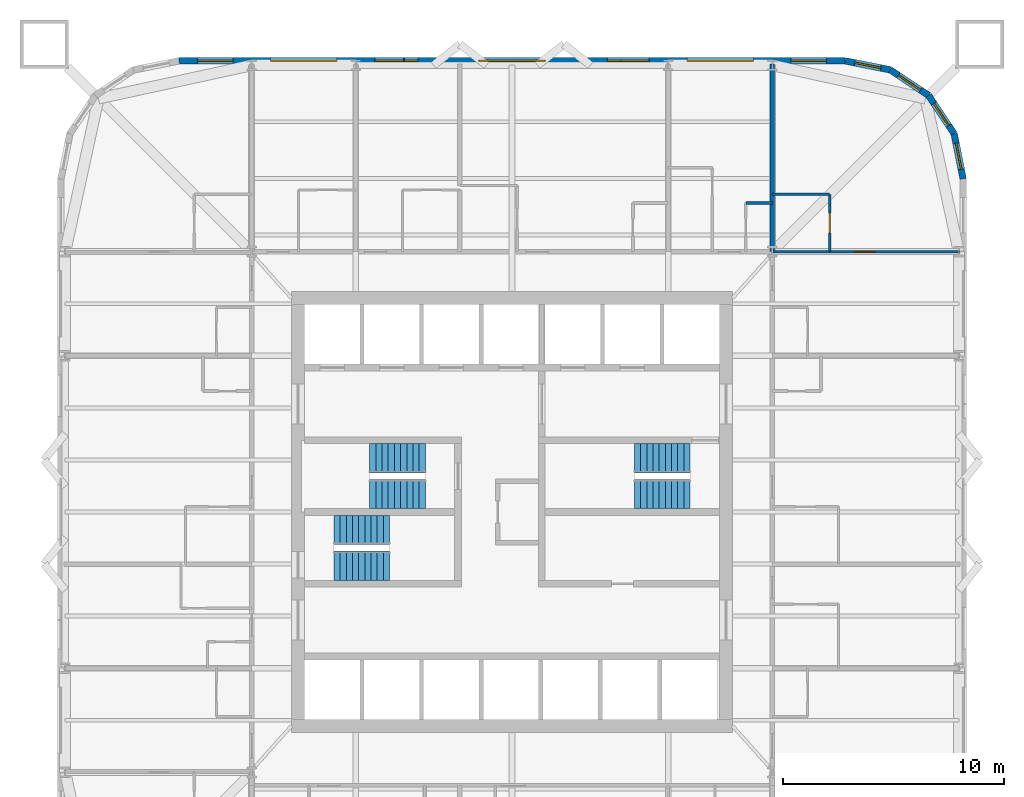
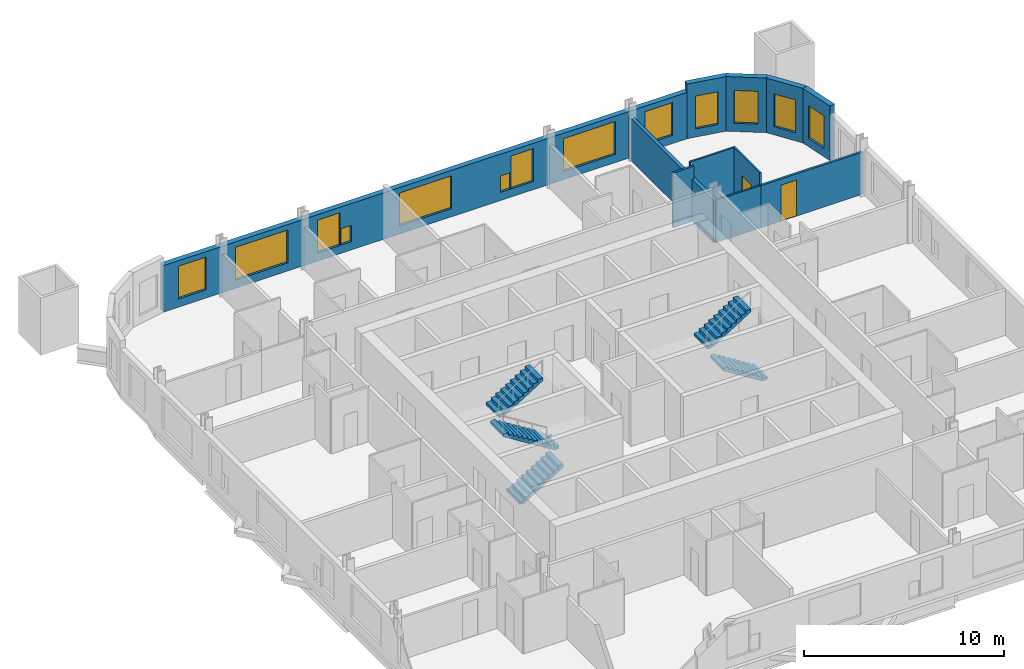
# One storey, part 8 of 9: 13 windows, 11 walls, 6 stair flights, 2 doors, 15 openings, 3 elements without a shape of their own.
"""IFC4 building model written with IfcOpenShell, lengths in metres."""

from ifc_helpers import new_model, si_unit, direction, frame, frame_2d, origin, place, context, subcontext, project, spatial, polyline, rectangle, outline, extrude, material, layer, layer_set, type_object, element, fill, aggregate, save


model = new_model("IFC4")

# Units and contexts
model_context = context("Model", 3, precision=1e-05, world=origin(), true_north=direction((0.0, 1.0)))
body_context = subcontext(model_context, "Body", "Model", "MODEL_VIEW")
ifc_project = project(units=[si_unit("LENGTHUNIT", "METRE"), si_unit("AREAUNIT", "SQUARE_METRE"), si_unit("VOLUMEUNIT", "CUBIC_METRE"), si_unit("PLANEANGLEUNIT", "RADIAN"), si_unit("MASSUNIT", "GRAM", prefix="KILO")], contexts=[model_context])

# Site, building, storey
site_placement = place(None, origin())
site = spatial("IfcSite", under=ifc_project, at=site_placement, CompositionType="ELEMENT")
building_placement = place(site_placement, origin())
building = spatial("IfcBuilding", under=site, at=building_placement, Name="Turquesa Mirador Hotel Tower", CompositionType="ELEMENT")
storey_placement = place(building_placement, frame((0.0, 0.0, 128.39990234375)))
storey = spatial("IfcBuildingStorey", under=building, at=storey_placement, Name="L34", CompositionType="ELEMENT", Elevation=128.39990234375)

# Walls
ifc_material_1 = material(Name="Gypsum board on steel studs", Category="steel")
ifc_layer_1 = layer(ifc_material_1, 0.10009765625)
ifc_layer_set_1 = layer_set([ifc_layer_1], Name="BATHROOM WALL 100")
wall_type_1 = type_object("IfcWallType", Name="BATHROOM WALL 100", PredefinedType="PARTITIONING", material=ifc_layer_set_1)
wall_1_placement = place(storey_placement, frame((66.800048828125, 56.800048828125, 0.0), z_axis=(0.0, 0.0, 1.0), x_axis=(1.0, 0.0, 0.0)))
element("IfcWall", 1, at=wall_1_placement, inside=storey, type_object=wall_type_1, Name="Partition L34 025", PredefinedType="PARTITIONING", context=body_context, shape_type="SweptSolid", body=[
    extrude(rectangle(XDim=2.599853515625, YDim=0.10009765625, at=frame_2d((1.2998046875, 0.0))), origin(), (0.0, 0.0, 1.0), 2.5732421875),
])
wall_2_placement = place(storey_placement, frame((66.800048828125, 59.39990234375, 0.0), z_axis=(0.0, 0.0, 1.0), x_axis=(1.0, 0.0, 0.0)))
element("IfcWall", 2, at=wall_2_placement, inside=storey, type_object=wall_type_1, Name="Partition L34 032", PredefinedType="PARTITIONING", context=body_context, shape_type="SweptSolid", body=[
    extrude(rectangle(XDim=2.599853515625, YDim=0.10009765625, at=frame_2d((1.2998046875, 0.0))), origin(), (0.0, 0.0, 1.0), 3.330078125),
])

# Wall, opening, door
wall_3_placement = place(storey_placement, frame((69.39990234375, 56.800048828125, 0.0), z_axis=(0.0, 0.0, 1.0), x_axis=(0.0, 1.0, 0.0)))
wall_3 = element("IfcWall", 3, at=wall_3_placement, inside=storey, type_object=wall_type_1, Name="Partition L34 072", PredefinedType="PARTITIONING", context=body_context, shape_type="SweptSolid", body=[
    extrude(rectangle(XDim=2.599853515625, YDim=0.10009765625, at=frame_2d((1.2998046875, 0.0))), origin(), (0.0, 0.0, 1.0), 3.330078125),
])
opening_1_placement = place(wall_3_placement, frame((0.85009765625, 0.0, 0.0)))
opening_1 = element("IfcOpeningElement", 4, at=opening_1_placement, cuts=wall_3, Name="Opening D02", PredefinedType="OPENING", context=body_context, shape_type="SweptSolid", body=[
    extrude(rectangle(XDim=0.89990234375, YDim=2.10009765625, at=frame_2d((0.449951171875, 1.050048828125))), frame((0.0, 0.06005859375, 0.0), z_axis=(0.0, -1.0, 0.0), x_axis=(1.0, 0.0, 0.0)), (0.0, 0.0, 1.0), 0.1201171875),
])
ifc_material_2 = material(Name="Timber veneered door", Category="wood")
door_type_1 = type_object("IfcDoorType", Name="DOOR 900X2100 EN-SUITE", OperationType="SINGLE_SWING_RIGHT", PredefinedType="DOOR", material=ifc_material_2)
door_1_placement = place(opening_1_placement, origin())
door_1 = element("IfcDoor", 5, at=door_1_placement, inside=storey, type_object=door_type_1, Name="Door 3411B", OperationType="SINGLE_SWING_RIGHT", OverallHeight=2.10009765625, OverallWidth=0.89990234375, PredefinedType="DOOR", context=body_context, shape_type="SweptSolid", body=[
    extrude(rectangle(XDim=0.89990234375, YDim=2.10009765625, at=frame_2d((0.449951171875, 1.050048828125))), frame((0.0, 0.02490234375, 0.0), z_axis=(0.0, -1.0, 0.0), x_axis=(1.0, 0.0, 0.0)), (0.0, 0.0, 1.0), 0.050048828125),
])
fill(opening_1, door_1)

# Wall, opening, window
ifc_material_3 = material(Name="Limestone cladding on concrete block", Category="masonry")
ifc_layer_2 = layer(ifc_material_3, 0.300048828125)
ifc_layer_set_2 = layer_set([ifc_layer_2], Name="FACADE WALL 300 STONE SCREEN")
wall_type_2 = type_object("IfcWallType", Name="FACADE WALL 300 STONE SCREEN", PredefinedType="SOLIDWALL", material=ifc_layer_set_2)
wall_4_placement = place(storey_placement, frame((75.449951171875, 60.10009765625, 0.0), z_axis=(0.0, 0.0, 1.0), x_axis=(-0.195081421501, 0.980787050784, 0.0)))
wall_4 = element("IfcWall", 6, at=wall_4_placement, inside=storey, type_object=wall_type_2, Name="Facade wall L34 05", PredefinedType="SOLIDWALL", context=body_context, shape_type="SweptSolid", body=[
    extrude(rectangle(XDim=2.08740234375, YDim=0.300048828125, at=frame_2d((1.043701171875, 0.0))), origin(), (0.0, 0.0, 1.0), 3.330078125),
])
opening_2_placement = place(wall_4_placement, frame((0.443603515625, 0.0, 0.5)))
opening_2 = element("IfcOpeningElement", 7, at=opening_2_placement, cuts=wall_4, Name="Opening WN4", PredefinedType="OPENING", context=body_context, shape_type="SweptSolid", body=[
    extrude(rectangle(XDim=1.199951171875, YDim=2.0, at=frame_2d((0.60009765625, 1.0))), frame((0.0, 0.159912109375, 0.0), z_axis=(0.0, -1.0, 0.0), x_axis=(1.0, 0.0, 0.0)), (0.0, 0.0, 1.0), 0.320068359375),
])
ifc_material_4 = material(Name="Ceramic-fritted laminated glass", Category="glass")
window_type_1 = type_object("IfcWindowType", Name="FRITTED CORNER WINDOW 1200X2000", PartitioningType="DOUBLE_PANEL_HORIZONTAL", PredefinedType="WINDOW", material=ifc_material_4)
window_1_placement = place(opening_2_placement, origin())
window_1 = element("IfcWindow", 8, at=window_1_placement, inside=storey, type_object=window_type_1, Name="Window L34", OverallHeight=2.0, OverallWidth=1.199951171875, PartitioningType="SINGLE_PANEL", PredefinedType="WINDOW", context=body_context, shape_type="SweptSolid", body=[
    extrude(rectangle(XDim=1.199951171875, YDim=2.0, at=frame_2d((0.60009765625, 1.0))), frame((0.0, 0.030029296875, 0.0), z_axis=(0.0, -1.0, 0.0), x_axis=(1.0, 0.0, 0.0)), (0.0, 0.0, 1.0), 0.06005859375),
])
fill(opening_2, window_1)

wall_5_placement = place(storey_placement, frame((75.042724609375, 62.1474609375, 0.0), z_axis=(0.0, 0.0, 1.0), x_axis=(-0.555563607591, 0.831474039234, 0.0)))
wall_5 = element("IfcWall", 9, at=wall_5_placement, inside=storey, type_object=wall_type_2, Name="Facade wall L34 06", PredefinedType="SOLIDWALL", context=body_context, shape_type="SweptSolid", body=[
    extrude(rectangle(XDim=2.08740234375, YDim=0.300048828125, at=frame_2d((1.043701171875, 0.0))), origin(), (0.0, 0.0, 1.0), 3.330078125),
])
opening_3_placement = place(wall_5_placement, frame((0.443603515625, 0.0, 0.5)))
opening_3 = element("IfcOpeningElement", 10, at=opening_3_placement, cuts=wall_5, Name="Opening WN4", PredefinedType="OPENING", context=body_context, shape_type="SweptSolid", body=[
    extrude(rectangle(XDim=1.199951171875, YDim=2.0, at=frame_2d((0.60009765625, 1.0))), frame((0.0, 0.159912109375, 0.0), z_axis=(0.0, -1.0, 0.0), x_axis=(1.0, 0.0, 0.0)), (0.0, 0.0, 1.0), 0.320068359375),
])
window_2_placement = place(opening_3_placement, origin())
window_2 = element("IfcWindow", 11, at=window_2_placement, inside=storey, type_object=window_type_1, Name="Window L34", OverallHeight=2.0, OverallWidth=1.199951171875, PartitioningType="SINGLE_PANEL", PredefinedType="WINDOW", context=body_context, shape_type="SweptSolid", body=[
    extrude(rectangle(XDim=1.199951171875, YDim=2.0, at=frame_2d((0.60009765625, 1.0))), frame((0.0, 0.030029296875, 0.0), z_axis=(0.0, -1.0, 0.0), x_axis=(1.0, 0.0, 0.0)), (0.0, 0.0, 1.0), 0.06005859375),
])
fill(opening_3, window_2)

wall_6_placement = place(storey_placement, frame((73.883056640625, 63.883056640625, 0.0), z_axis=(0.0, 0.0, 1.0), x_axis=(-0.831474039234, 0.555563607591, 0.0)))
wall_6 = element("IfcWall", 12, at=wall_6_placement, inside=storey, type_object=wall_type_2, Name="Facade wall L34 07", PredefinedType="SOLIDWALL", context=body_context, shape_type="SweptSolid", body=[
    extrude(rectangle(XDim=2.08740234375, YDim=0.300048828125, at=frame_2d((1.043701171875, 0.0))), origin(), (0.0, 0.0, 1.0), 3.330078125),
])
opening_4_placement = place(wall_6_placement, frame((0.443603515625, 0.0, 0.5)))
opening_4 = element("IfcOpeningElement", 13, at=opening_4_placement, cuts=wall_6, Name="Opening WN4", PredefinedType="OPENING", context=body_context, shape_type="SweptSolid", body=[
    extrude(rectangle(XDim=1.199951171875, YDim=2.0, at=frame_2d((0.60009765625, 1.0))), frame((0.0, 0.159912109375, 0.0), z_axis=(0.0, -1.0, 0.0), x_axis=(1.0, 0.0, 0.0)), (0.0, 0.0, 1.0), 0.320068359375),
])
window_3_placement = place(opening_4_placement, origin())
window_3 = element("IfcWindow", 14, at=window_3_placement, inside=storey, type_object=window_type_1, Name="Window L34", OverallHeight=2.0, OverallWidth=1.199951171875, PartitioningType="SINGLE_PANEL", PredefinedType="WINDOW", context=body_context, shape_type="SweptSolid", body=[
    extrude(rectangle(XDim=1.199951171875, YDim=2.0, at=frame_2d((0.60009765625, 1.0))), frame((0.0, 0.030029296875, 0.0), z_axis=(0.0, -1.0, 0.0), x_axis=(1.0, 0.0, 0.0)), (0.0, 0.0, 1.0), 0.06005859375),
])
fill(opening_4, window_3)

wall_7_placement = place(storey_placement, frame((72.1474609375, 65.042724609375, 0.0), z_axis=(0.0, 0.0, 1.0), x_axis=(-0.980787050784, 0.195081421501, 0.0)))
wall_7 = element("IfcWall", 15, at=wall_7_placement, inside=storey, type_object=wall_type_2, Name="Facade wall L34 08", PredefinedType="SOLIDWALL", context=body_context, shape_type="SweptSolid", body=[
    extrude(rectangle(XDim=2.08740234375, YDim=0.300048828125, at=frame_2d((1.043701171875, 0.0))), origin(), (0.0, 0.0, 1.0), 3.330078125),
])
opening_5_placement = place(wall_7_placement, frame((0.443603515625, 0.0, 0.5)))
opening_5 = element("IfcOpeningElement", 16, at=opening_5_placement, cuts=wall_7, Name="Opening WN4", PredefinedType="OPENING", context=body_context, shape_type="SweptSolid", body=[
    extrude(rectangle(XDim=1.199951171875, YDim=2.0, at=frame_2d((0.60009765625, 1.0))), frame((0.0, 0.159912109375, 0.0), z_axis=(0.0, -1.0, 0.0), x_axis=(1.0, 0.0, 0.0)), (0.0, 0.0, 1.0), 0.320068359375),
])
window_4_placement = place(opening_5_placement, origin())
window_4 = element("IfcWindow", 17, at=window_4_placement, inside=storey, type_object=window_type_1, Name="Window L34", OverallHeight=2.0, OverallWidth=1.199951171875, PartitioningType="SINGLE_PANEL", PredefinedType="WINDOW", context=body_context, shape_type="SweptSolid", body=[
    extrude(rectangle(XDim=1.199951171875, YDim=2.0, at=frame_2d((0.60009765625, 1.0))), frame((0.0, 0.030029296875, 0.0), z_axis=(0.0, -1.0, 0.0), x_axis=(1.0, 0.0, 0.0)), (0.0, 0.0, 1.0), 0.06005859375),
])
fill(opening_5, window_4)

# Wall, openings, windows
wall_8_placement = place(storey_placement, frame((70.10009765625, 65.449951171875, 0.0), z_axis=(0.0, 0.0, 1.0), x_axis=(-1.0, 0.0, 0.0)))
wall_8 = element("IfcWall", 18, at=wall_8_placement, inside=storey, type_object=wall_type_2, Name="Facade wall L34 09", PredefinedType="SOLIDWALL", context=body_context, shape_type="SweptSolid", body=[
    extrude(rectangle(XDim=30.2001953125, YDim=0.300048828125, at=frame_2d((15.10009765625, 0.0))), origin(), (0.0, 0.0, 1.0), 2.830078125),
])
opening_6_placement = place(wall_8_placement, frame((0.85009765625, 0.0, 0.5)))
opening_6 = element("IfcOpeningElement", 19, at=opening_6_placement, cuts=wall_8, Name="Opening WN3", PredefinedType="OPENING", context=body_context, shape_type="SweptSolid", body=[
    extrude(rectangle(XDim=1.60009765625, YDim=2.0, at=frame_2d((0.800048828125, 1.0))), frame((0.0, 0.159912109375, 0.0), z_axis=(0.0, -1.0, 0.0), x_axis=(1.0, 0.0, 0.0)), (0.0, 0.0, 1.0), 0.320068359375),
])
opening_7_placement = place(wall_8_placement, frame((4.159912109375, 0.0, 0.5)))
opening_7 = element("IfcOpeningElement", 20, at=opening_7_placement, cuts=wall_8, Name="Opening WN1", PredefinedType="OPENING", context=body_context, shape_type="SweptSolid", body=[
    extrude(rectangle(XDim=3.0, YDim=2.0, at=frame_2d((1.5, 1.0))), frame((0.0, 0.159912109375, 0.0), z_axis=(0.0, -1.0, 0.0), x_axis=(1.0, 0.0, 0.0)), (0.0, 0.0, 1.0), 0.320068359375),
])
opening_8_placement = place(wall_8_placement, frame((8.8798828125, 0.0, 0.5)))
opening_8 = element("IfcOpeningElement", 21, at=opening_8_placement, cuts=wall_8, Name="Opening WN42", PredefinedType="OPENING", context=body_context, shape_type="SweptSolid", body=[
    extrude(rectangle(XDim=1.300048828125, YDim=2.0, at=frame_2d((0.64990234375, 1.0))), frame((0.0, 0.159912109375, 0.0), z_axis=(0.0, -1.0, 0.0), x_axis=(1.0, 0.0, 0.0)), (0.0, 0.0, 1.0), 0.320068359375),
])
opening_9_placement = place(wall_8_placement, frame((13.60009765625, 0.0, 0.5)))
opening_9 = element("IfcOpeningElement", 22, at=opening_9_placement, cuts=wall_8, Name="Opening WN1", PredefinedType="OPENING", context=body_context, shape_type="SweptSolid", body=[
    extrude(rectangle(XDim=3.0, YDim=2.0, at=frame_2d((1.5, 1.0))), frame((0.0, 0.159912109375, 0.0), z_axis=(0.0, -1.0, 0.0), x_axis=(1.0, 0.0, 0.0)), (0.0, 0.0, 1.0), 0.320068359375),
])
opening_10_placement = place(wall_8_placement, frame((20.02001953125, 0.0, 0.5)))
opening_10 = element("IfcOpeningElement", 23, at=opening_10_placement, cuts=wall_8, Name="Opening WN42", PredefinedType="OPENING", context=body_context, shape_type="SweptSolid", body=[
    extrude(rectangle(XDim=1.300048828125, YDim=2.0, at=frame_2d((0.64990234375, 1.0))), frame((0.0, 0.159912109375, 0.0), z_axis=(0.0, -1.0, 0.0), x_axis=(1.0, 0.0, 0.0)), (0.0, 0.0, 1.0), 0.320068359375),
])
opening_11_placement = place(wall_8_placement, frame((23.0400390625, 0.0, 0.5)))
opening_11 = element("IfcOpeningElement", 24, at=opening_11_placement, cuts=wall_8, Name="Opening WN1", PredefinedType="OPENING", context=body_context, shape_type="SweptSolid", body=[
    extrude(rectangle(XDim=3.0, YDim=2.0, at=frame_2d((1.5, 1.0))), frame((0.0, 0.159912109375, 0.0), z_axis=(0.0, -1.0, 0.0), x_axis=(1.0, 0.0, 0.0)), (0.0, 0.0, 1.0), 0.320068359375),
])
opening_12_placement = place(wall_8_placement, frame((27.75, 0.0, 0.5)))
opening_12 = element("IfcOpeningElement", 25, at=opening_12_placement, cuts=wall_8, Name="Opening WN3", PredefinedType="OPENING", context=body_context, shape_type="SweptSolid", body=[
    extrude(rectangle(XDim=1.60009765625, YDim=2.0, at=frame_2d((0.800048828125, 1.0))), frame((0.0, 0.159912109375, 0.0), z_axis=(0.0, -1.0, 0.0), x_axis=(1.0, 0.0, 0.0)), (0.0, 0.0, 1.0), 0.320068359375),
])
opening_13_placement = place(wall_8_placement, frame((10.179931640625, 0.0, 0.5)))
opening_13 = element("IfcOpeningElement", 26, at=opening_13_placement, cuts=wall_8, Name="Opening WN29", PredefinedType="OPENING", context=body_context, shape_type="SweptSolid", body=[
    extrude(rectangle(XDim=0.60009765625, YDim=1.0, at=frame_2d((0.300048828125, 0.5))), frame((0.0, 0.159912109375, 0.0), z_axis=(0.0, -1.0, 0.0), x_axis=(1.0, 0.0, 0.0)), (0.0, 0.0, 1.0), 0.320068359375),
])
opening_14_placement = place(wall_8_placement, frame((19.3701171875, 0.0, 0.5)))
opening_14 = element("IfcOpeningElement", 27, at=opening_14_placement, cuts=wall_8, Name="Opening WN29", PredefinedType="OPENING", context=body_context, shape_type="SweptSolid", body=[
    extrude(rectangle(XDim=0.60009765625, YDim=1.0, at=frame_2d((0.300048828125, 0.5))), frame((0.0, 0.159912109375, 0.0), z_axis=(0.0, -1.0, 0.0), x_axis=(1.0, 0.0, 0.0)), (0.0, 0.0, 1.0), 0.320068359375),
])
ifc_material_5 = material(Name="Ceramic-fritted laminated glass", Category="glass")
window_type_2 = type_object("IfcWindowType", Name="FRITTED WINDOW 1300X2000", PartitioningType="DOUBLE_PANEL_HORIZONTAL", PredefinedType="WINDOW", material=ifc_material_5)
window_5_placement = place(opening_8_placement, origin())
window_5 = element("IfcWindow", 28, at=window_5_placement, inside=storey, type_object=window_type_2, Name="Window L34", OverallHeight=2.0, OverallWidth=1.300048828125, PartitioningType="SINGLE_PANEL", PredefinedType="WINDOW", context=body_context, shape_type="SweptSolid", body=[
    extrude(rectangle(XDim=1.300048828125, YDim=2.0, at=frame_2d((0.64990234375, 1.0))), frame((0.0, 0.030029296875, 0.0), z_axis=(0.0, -1.0, 0.0), x_axis=(1.0, 0.0, 0.0)), (0.0, 0.0, 1.0), 0.06005859375),
])
fill(opening_8, window_5)
window_6_placement = place(opening_10_placement, origin())
window_6 = element("IfcWindow", 29, at=window_6_placement, inside=storey, type_object=window_type_2, Name="Window L34", OverallHeight=2.0, OverallWidth=1.300048828125, PartitioningType="SINGLE_PANEL", PredefinedType="WINDOW", context=body_context, shape_type="SweptSolid", body=[
    extrude(rectangle(XDim=1.300048828125, YDim=2.0, at=frame_2d((0.64990234375, 1.0))), frame((0.0, 0.030029296875, 0.0), z_axis=(0.0, -1.0, 0.0), x_axis=(1.0, 0.0, 0.0)), (0.0, 0.0, 1.0), 0.06005859375),
])
fill(opening_10, window_6)
ifc_material_6 = material(Name="Ceramic-fritted laminated glass", Category="glass")
window_type_3 = type_object("IfcWindowType", Name="FRITTED WINDOW 1600X2000", PartitioningType="DOUBLE_PANEL_HORIZONTAL", PredefinedType="WINDOW", material=ifc_material_6)
window_7_placement = place(opening_6_placement, origin())
window_7 = element("IfcWindow", 30, at=window_7_placement, inside=storey, type_object=window_type_3, Name="Window L34", OverallHeight=2.0, OverallWidth=1.60009765625, PartitioningType="SINGLE_PANEL", PredefinedType="WINDOW", context=body_context, shape_type="SweptSolid", body=[
    extrude(rectangle(XDim=1.60009765625, YDim=2.0, at=frame_2d((0.800048828125, 1.0))), frame((0.0, 0.030029296875, 0.0), z_axis=(0.0, -1.0, 0.0), x_axis=(1.0, 0.0, 0.0)), (0.0, 0.0, 1.0), 0.06005859375),
])
fill(opening_6, window_7)
window_8_placement = place(opening_12_placement, origin())
window_8 = element("IfcWindow", 31, at=window_8_placement, inside=storey, type_object=window_type_3, Name="Window L34", OverallHeight=2.0, OverallWidth=1.60009765625, PartitioningType="SINGLE_PANEL", PredefinedType="WINDOW", context=body_context, shape_type="SweptSolid", body=[
    extrude(rectangle(XDim=1.60009765625, YDim=2.0, at=frame_2d((0.800048828125, 1.0))), frame((0.0, 0.030029296875, 0.0), z_axis=(0.0, -1.0, 0.0), x_axis=(1.0, 0.0, 0.0)), (0.0, 0.0, 1.0), 0.06005859375),
])
fill(opening_12, window_8)
ifc_material_7 = material(Name="Ceramic-fritted laminated glass", Category="glass")
window_type_4 = type_object("IfcWindowType", Name="FRITTED WINDOW 3000X2000", PartitioningType="DOUBLE_PANEL_HORIZONTAL", PredefinedType="WINDOW", material=ifc_material_7)
window_9_placement = place(opening_7_placement, origin())
window_9 = element("IfcWindow", 32, at=window_9_placement, inside=storey, type_object=window_type_4, Name="Window L34", OverallHeight=2.0, OverallWidth=3.0, PartitioningType="SINGLE_PANEL", PredefinedType="WINDOW", context=body_context, shape_type="SweptSolid", body=[
    extrude(rectangle(XDim=3.0, YDim=2.0, at=frame_2d((1.5, 1.0))), frame((0.0, 0.030029296875, 0.0), z_axis=(0.0, -1.0, 0.0), x_axis=(1.0, 0.0, 0.0)), (0.0, 0.0, 1.0), 0.06005859375),
])
fill(opening_7, window_9)
window_10_placement = place(opening_9_placement, origin())
window_10 = element("IfcWindow", 33, at=window_10_placement, inside=storey, type_object=window_type_4, Name="Window L34", OverallHeight=2.0, OverallWidth=3.0, PartitioningType="SINGLE_PANEL", PredefinedType="WINDOW", context=body_context, shape_type="SweptSolid", body=[
    extrude(rectangle(XDim=3.0, YDim=2.0, at=frame_2d((1.5, 1.0))), frame((0.0, 0.030029296875, 0.0), z_axis=(0.0, -1.0, 0.0), x_axis=(1.0, 0.0, 0.0)), (0.0, 0.0, 1.0), 0.06005859375),
])
fill(opening_9, window_10)
window_11_placement = place(opening_11_placement, origin())
window_11 = element("IfcWindow", 34, at=window_11_placement, inside=storey, type_object=window_type_4, Name="Window L34", OverallHeight=2.0, OverallWidth=3.0, PartitioningType="SINGLE_PANEL", PredefinedType="WINDOW", context=body_context, shape_type="SweptSolid", body=[
    extrude(rectangle(XDim=3.0, YDim=2.0, at=frame_2d((1.5, 1.0))), frame((0.0, 0.030029296875, 0.0), z_axis=(0.0, -1.0, 0.0), x_axis=(1.0, 0.0, 0.0)), (0.0, 0.0, 1.0), 0.06005859375),
])
fill(opening_11, window_11)
ifc_material_8 = material(Name="Ceramic-fritted laminated glass", Category="glass")
window_type_5 = type_object("IfcWindowType", Name="FRITTED WINDOW 600X1000", PartitioningType="DOUBLE_PANEL_HORIZONTAL", PredefinedType="WINDOW", material=ifc_material_8)
window_12_placement = place(opening_13_placement, origin())
window_12 = element("IfcWindow", 35, at=window_12_placement, inside=storey, type_object=window_type_5, Name="Window L34", OverallHeight=1.0, OverallWidth=0.60009765625, PartitioningType="SINGLE_PANEL", PredefinedType="WINDOW", context=body_context, shape_type="SweptSolid", body=[
    extrude(rectangle(XDim=0.60009765625, YDim=1.0, at=frame_2d((0.300048828125, 0.5))), frame((0.0, 0.030029296875, 0.0), z_axis=(0.0, -1.0, 0.0), x_axis=(1.0, 0.0, 0.0)), (0.0, 0.0, 1.0), 0.06005859375),
])
fill(opening_13, window_12)
window_13_placement = place(opening_14_placement, origin())
window_13 = element("IfcWindow", 36, at=window_13_placement, inside=storey, type_object=window_type_5, Name="Window L34", OverallHeight=1.0, OverallWidth=0.60009765625, PartitioningType="SINGLE_PANEL", PredefinedType="WINDOW", context=body_context, shape_type="SweptSolid", body=[
    extrude(rectangle(XDim=0.60009765625, YDim=1.0, at=frame_2d((0.300048828125, 0.5))), frame((0.0, 0.030029296875, 0.0), z_axis=(0.0, -1.0, 0.0), x_axis=(1.0, 0.0, 0.0)), (0.0, 0.0, 1.0), 0.06005859375),
])
fill(opening_14, window_13)

# Wall
ifc_material_9 = material(Name="Fire-rated gypsum board on steel studs", Category="steel")
ifc_layer_3 = layer(ifc_material_9, 0.199951171875)
ifc_layer_set_3 = layer_set([ifc_layer_3], Name="PARTY WALL 200")
wall_type_3 = type_object("IfcWallType", Name="PARTY WALL 200", PredefinedType="PARTITIONING", material=ifc_layer_set_3)
wall_9_placement = place(storey_placement, frame((66.800048828125, 56.800048828125, 0.0), z_axis=(0.0, 0.0, 1.0), x_axis=(0.0, 1.0, 0.0)))
element("IfcWall", 37, at=wall_9_placement, inside=storey, type_object=wall_type_3, Name="Partition L34 067", PredefinedType="PARTITIONING", context=body_context, shape_type="SweptSolid", body=[
    extrude(rectangle(XDim=8.5, YDim=0.199951171875, at=frame_2d((4.25, 0.0))), origin(), (0.0, 0.0, 1.0), 2.5732421875),
])

# Wall, opening, door
ifc_material_10 = material(Name="Acoustic gypsum board on steel studs", Category="steel")
ifc_layer_4 = layer(ifc_material_10, 0.125)
ifc_layer_set_4 = layer_set([ifc_layer_4], Name="SUITE PARTITION 125")
wall_type_4 = type_object("IfcWallType", Name="SUITE PARTITION 125", PredefinedType="PARTITIONING", material=ifc_layer_set_4)
wall_10_placement = place(storey_placement, frame((69.39990234375, 56.800048828125, 0.0), z_axis=(0.0, 0.0, 1.0), x_axis=(1.0, 0.0, 0.0)))
wall_10 = element("IfcWall", 38, at=wall_10_placement, inside=storey, type_object=wall_type_4, Name="Partition L34 028", PredefinedType="PARTITIONING", context=body_context, shape_type="SweptSolid", body=[
    extrude(rectangle(XDim=5.900146484375, YDim=0.125, at=frame_2d((2.9501953125, 0.0))), origin(), (0.0, 0.0, 1.0), 2.5732421875),
])
opening_15_placement = place(wall_10_placement, frame((1.14990234375, 0.0, 0.0)))
opening_15 = element("IfcOpeningElement", 39, at=opening_15_placement, cuts=wall_10, Name="Opening D17", PredefinedType="OPENING", context=body_context, shape_type="SweptSolid", body=[
    extrude(rectangle(XDim=0.89990234375, YDim=2.199951171875, at=frame_2d((0.449951171875, 1.10009765625))), frame((0.0, 0.072509765625, 0.0), z_axis=(0.0, -1.0, 0.0), x_axis=(1.0, 0.0, 0.0)), (0.0, 0.0, 1.0), 0.14501953125),
])
ifc_material_11 = material(Name="Timber veneered door", Category="wood")
door_type_2 = type_object("IfcDoorType", Name="DOOR 900X2200 SUITE INTERNAL", OperationType="SINGLE_SWING_LEFT", PredefinedType="DOOR", material=ifc_material_11)
door_2_placement = place(opening_15_placement, origin())
door_2 = element("IfcDoor", 40, at=door_2_placement, inside=storey, type_object=door_type_2, Name="Door 3411R", OperationType="SINGLE_SWING_LEFT", OverallHeight=2.199951171875, OverallWidth=0.89990234375, PredefinedType="DOOR", context=body_context, shape_type="SweptSolid", body=[
    extrude(rectangle(XDim=0.89990234375, YDim=2.199951171875, at=frame_2d((0.449951171875, 1.10009765625))), frame((0.0, 0.02490234375, 0.0), z_axis=(0.0, -1.0, 0.0), x_axis=(1.0, 0.0, 0.0)), (0.0, 0.0, 1.0), 0.050048828125),
])
fill(opening_15, door_2)

# Wall
wall_11_placement = place(storey_placement, frame((65.60009765625, 59.0, 0.0), z_axis=(0.0, 0.0, 1.0), x_axis=(1.0, 0.0, 0.0)))
element("IfcWall", 41, at=wall_11_placement, inside=storey, type_object=wall_type_4, Name="Partition L34 030", PredefinedType="PARTITIONING", context=body_context, shape_type="SweptSolid", body=[
    extrude(rectangle(XDim=1.199951171875, YDim=0.125, at=frame_2d((0.60009765625, 0.0))), origin(), (0.0, 0.0, 1.0), 3.330078125),
])

# Stair, stair flights
ifc_material_12 = material(Name="Concrete C35/45", Category="concrete")
stair_type = type_object("IfcStairType", Name="ESCAPE STAIR CORE", PredefinedType="HALF_TURN_STAIR", material=ifc_material_12)
stair_1_placement = place(storey_placement, origin())
stair_1 = element("IfcStair", 42, at=stair_1_placement, inside=storey, type_object=stair_type, Name="Stair ST1 L34 to L35", PredefinedType="HALF_TURN_STAIR")
ifc_material_13 = material(Name="Concrete C35/45 precast flight", Category="concrete")
stair_flight_type = type_object("IfcStairFlightType", Name="STAIR FLIGHT 1330", PredefinedType="STRAIGHT", material=ifc_material_13)
stair_flight_1_placement = place(storey_placement, frame((51.070068359375, 45.81494140625, 0.0), z_axis=(0.0, 0.0, 1.0), x_axis=(-1.0, 0.0, 0.0)))
stair_flight_1 = element("IfcStairFlight", 43, at=stair_flight_1_placement, type_object=stair_flight_type, Name="ST1 flight 1", NumberOfRisers=10, NumberOfTreads=9, PredefinedType="STRAIGHT", RiserHeight=0.175, TreadLength=0.28, context=body_context, shape_type="SweptSolid", body=[
    extrude(outline(polyline([(0.0, 0.0), (0.0, 0.175048828125), (0.280029296875, 0.175048828125), (0.280029296875, 0.35009765625), (0.56005859375, 0.35009765625), (0.56005859375, 0.52490234375), (0.840087890625, 0.52490234375), (0.840087890625, 0.699951171875), (1.1201171875, 0.699951171875), (1.1201171875, 0.875), (1.39990234375, 0.875), (1.39990234375, 1.050048828125), (1.679931640625, 1.050048828125), (1.679931640625, 1.22509765625), (1.9599609375, 1.22509765625), (1.9599609375, 1.39990234375), (2.239990234375, 1.39990234375), (2.239990234375, 1.574951171875), (2.52001953125, 1.574951171875), (2.52001953125, 1.75), (2.52001953125, 1.398193359375), (0.28271484375, 0.0), (0.0, 0.0)])), frame((0.0, 0.6650390625, 0.0), z_axis=(0.0, -1.0, 0.0), x_axis=(1.0, 0.0, 0.0)), (0.0, 0.0, 1.0), 1.330078125),
])
stair_flight_2_placement = place(storey_placement, frame((48.550048828125, 47.43505859375, 1.75), z_axis=(0.0, 0.0, 1.0), x_axis=(1.0, 0.0, 0.0)))
stair_flight_2 = element("IfcStairFlight", 44, at=stair_flight_2_placement, type_object=stair_flight_type, Name="ST1 flight 2", NumberOfRisers=10, NumberOfTreads=9, PredefinedType="STRAIGHT", RiserHeight=0.175, TreadLength=0.28, context=body_context, shape_type="SweptSolid", body=[
    extrude(outline(polyline([(0.0, 0.0), (0.0, 0.175048828125), (0.280029296875, 0.175048828125), (0.280029296875, 0.35009765625), (0.56005859375, 0.35009765625), (0.56005859375, 0.52490234375), (0.840087890625, 0.52490234375), (0.840087890625, 0.699951171875), (1.1201171875, 0.699951171875), (1.1201171875, 0.875), (1.39990234375, 0.875), (1.39990234375, 1.050048828125), (1.679931640625, 1.050048828125), (1.679931640625, 1.22509765625), (1.9599609375, 1.22509765625), (1.9599609375, 1.39990234375), (2.239990234375, 1.39990234375), (2.239990234375, 1.574951171875), (2.52001953125, 1.574951171875), (2.52001953125, 1.75), (2.52001953125, 1.398193359375), (0.28271484375, 0.0), (0.0, 0.0)])), frame((0.0, 0.6650390625, 0.0), z_axis=(0.0, -1.0, 0.0), x_axis=(1.0, 0.0, 0.0)), (0.0, 0.0, 1.0), 1.330078125),
])
aggregate(stair_1, [stair_flight_1, stair_flight_2])

stair_2_placement = place(storey_placement, origin())
stair_2 = element("IfcStair", 45, at=stair_2_placement, inside=storey, type_object=stair_type, Name="Stair ST2 L34 to L35", PredefinedType="HALF_TURN_STAIR")
stair_flight_3_placement = place(storey_placement, frame((46.929931640625, 42.56494140625, 0.0), z_axis=(0.0, 0.0, 1.0), x_axis=(1.0, 0.0, 0.0)))
stair_flight_3 = element("IfcStairFlight", 46, at=stair_flight_3_placement, type_object=stair_flight_type, Name="ST2 flight 1", NumberOfRisers=10, NumberOfTreads=9, PredefinedType="STRAIGHT", RiserHeight=0.175, TreadLength=0.28, context=body_context, shape_type="SweptSolid", body=[
    extrude(outline(polyline([(0.0, 0.0), (0.0, 0.175048828125), (0.280029296875, 0.175048828125), (0.280029296875, 0.35009765625), (0.56005859375, 0.35009765625), (0.56005859375, 0.52490234375), (0.840087890625, 0.52490234375), (0.840087890625, 0.699951171875), (1.1201171875, 0.699951171875), (1.1201171875, 0.875), (1.39990234375, 0.875), (1.39990234375, 1.050048828125), (1.679931640625, 1.050048828125), (1.679931640625, 1.22509765625), (1.9599609375, 1.22509765625), (1.9599609375, 1.39990234375), (2.239990234375, 1.39990234375), (2.239990234375, 1.574951171875), (2.52001953125, 1.574951171875), (2.52001953125, 1.75), (2.52001953125, 1.398193359375), (0.28271484375, 0.0), (0.0, 0.0)])), frame((0.0, 0.6650390625, 0.0), z_axis=(0.0, -1.0, 0.0), x_axis=(1.0, 0.0, 0.0)), (0.0, 0.0, 1.0), 1.330078125),
])
stair_flight_4_placement = place(storey_placement, frame((49.449951171875, 44.18505859375, 1.75), z_axis=(0.0, 0.0, 1.0), x_axis=(-1.0, 0.0, 0.0)))
stair_flight_4 = element("IfcStairFlight", 47, at=stair_flight_4_placement, type_object=stair_flight_type, Name="ST2 flight 2", NumberOfRisers=10, NumberOfTreads=9, PredefinedType="STRAIGHT", RiserHeight=0.175, TreadLength=0.28, context=body_context, shape_type="SweptSolid", body=[
    extrude(outline(polyline([(0.0, 0.0), (0.0, 0.175048828125), (0.280029296875, 0.175048828125), (0.280029296875, 0.35009765625), (0.56005859375, 0.35009765625), (0.56005859375, 0.52490234375), (0.840087890625, 0.52490234375), (0.840087890625, 0.699951171875), (1.1201171875, 0.699951171875), (1.1201171875, 0.875), (1.39990234375, 0.875), (1.39990234375, 1.050048828125), (1.679931640625, 1.050048828125), (1.679931640625, 1.22509765625), (1.9599609375, 1.22509765625), (1.9599609375, 1.39990234375), (2.239990234375, 1.39990234375), (2.239990234375, 1.574951171875), (2.52001953125, 1.574951171875), (2.52001953125, 1.75), (2.52001953125, 1.398193359375), (0.28271484375, 0.0), (0.0, 0.0)])), frame((0.0, 0.6650390625, 0.0), z_axis=(0.0, -1.0, 0.0), x_axis=(1.0, 0.0, 0.0)), (0.0, 0.0, 1.0), 1.330078125),
])
aggregate(stair_2, [stair_flight_3, stair_flight_4])

stair_3_placement = place(storey_placement, origin())
stair_3 = element("IfcStair", 48, at=stair_3_placement, inside=storey, type_object=stair_type, Name="Stair ST3 L34 to L35", PredefinedType="HALF_TURN_STAIR")
stair_flight_5_placement = place(storey_placement, frame((63.070068359375, 45.81494140625, 0.0), z_axis=(0.0, 0.0, 1.0), x_axis=(-1.0, 0.0, 0.0)))
stair_flight_5 = element("IfcStairFlight", 49, at=stair_flight_5_placement, type_object=stair_flight_type, Name="ST3 flight 1", NumberOfRisers=10, NumberOfTreads=9, PredefinedType="STRAIGHT", RiserHeight=0.175, TreadLength=0.28, context=body_context, shape_type="SweptSolid", body=[
    extrude(outline(polyline([(0.0, 0.0), (0.0, 0.175048828125), (0.280029296875, 0.175048828125), (0.280029296875, 0.35009765625), (0.56005859375, 0.35009765625), (0.56005859375, 0.52490234375), (0.840087890625, 0.52490234375), (0.840087890625, 0.699951171875), (1.1201171875, 0.699951171875), (1.1201171875, 0.875), (1.39990234375, 0.875), (1.39990234375, 1.050048828125), (1.679931640625, 1.050048828125), (1.679931640625, 1.22509765625), (1.9599609375, 1.22509765625), (1.9599609375, 1.39990234375), (2.239990234375, 1.39990234375), (2.239990234375, 1.574951171875), (2.52001953125, 1.574951171875), (2.52001953125, 1.75), (2.52001953125, 1.398193359375), (0.28271484375, 0.0), (0.0, 0.0)])), frame((0.0, 0.6650390625, 0.0), z_axis=(0.0, -1.0, 0.0), x_axis=(1.0, 0.0, 0.0)), (0.0, 0.0, 1.0), 1.330078125),
])
stair_flight_6_placement = place(storey_placement, frame((60.550048828125, 47.43505859375, 1.75), z_axis=(0.0, 0.0, 1.0), x_axis=(1.0, 0.0, 0.0)))
stair_flight_6 = element("IfcStairFlight", 50, at=stair_flight_6_placement, type_object=stair_flight_type, Name="ST3 flight 2", NumberOfRisers=10, NumberOfTreads=9, PredefinedType="STRAIGHT", RiserHeight=0.175, TreadLength=0.28, context=body_context, shape_type="SweptSolid", body=[
    extrude(outline(polyline([(0.0, 0.0), (0.0, 0.175048828125), (0.280029296875, 0.175048828125), (0.280029296875, 0.35009765625), (0.56005859375, 0.35009765625), (0.56005859375, 0.52490234375), (0.840087890625, 0.52490234375), (0.840087890625, 0.699951171875), (1.1201171875, 0.699951171875), (1.1201171875, 0.875), (1.39990234375, 0.875), (1.39990234375, 1.050048828125), (1.679931640625, 1.050048828125), (1.679931640625, 1.22509765625), (1.9599609375, 1.22509765625), (1.9599609375, 1.39990234375), (2.239990234375, 1.39990234375), (2.239990234375, 1.574951171875), (2.52001953125, 1.574951171875), (2.52001953125, 1.75), (2.52001953125, 1.398193359375), (0.28271484375, 0.0), (0.0, 0.0)])), frame((0.0, 0.6650390625, 0.0), z_axis=(0.0, -1.0, 0.0), x_axis=(1.0, 0.0, 0.0)), (0.0, 0.0, 1.0), 1.330078125),
])
aggregate(stair_3, [stair_flight_5, stair_flight_6])

save(model, "model.ifc")
